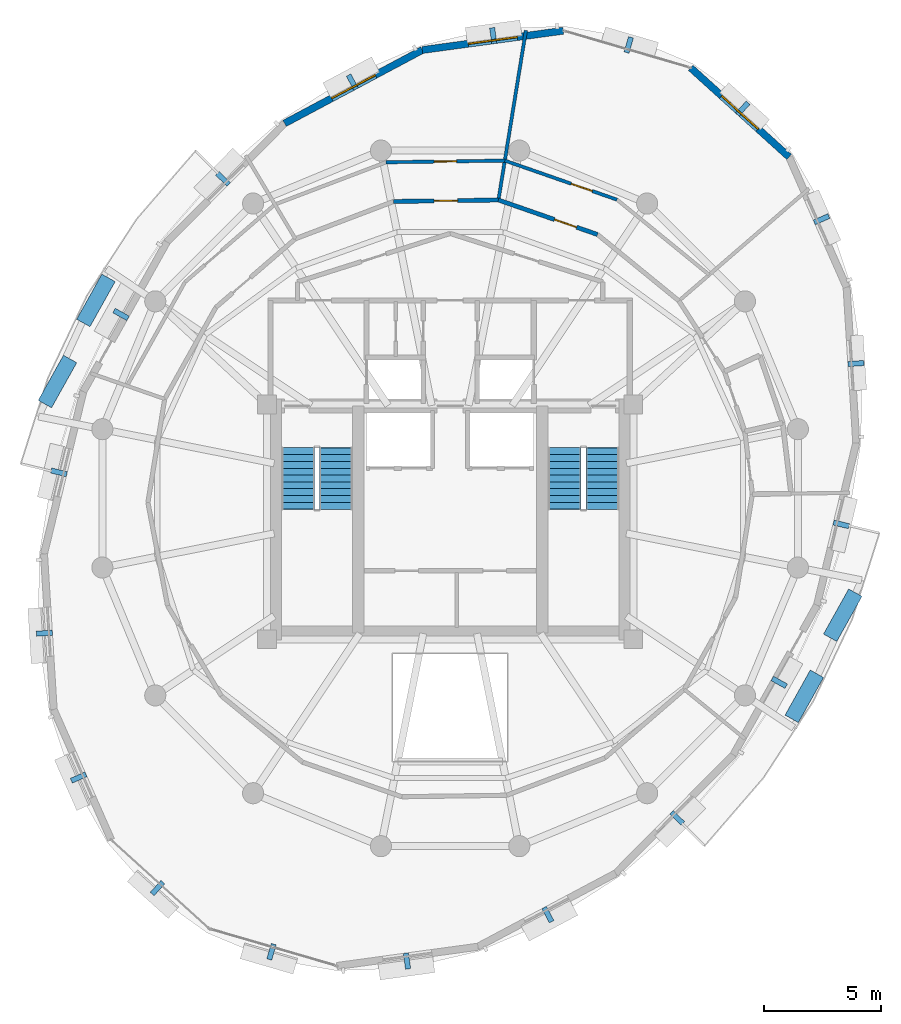
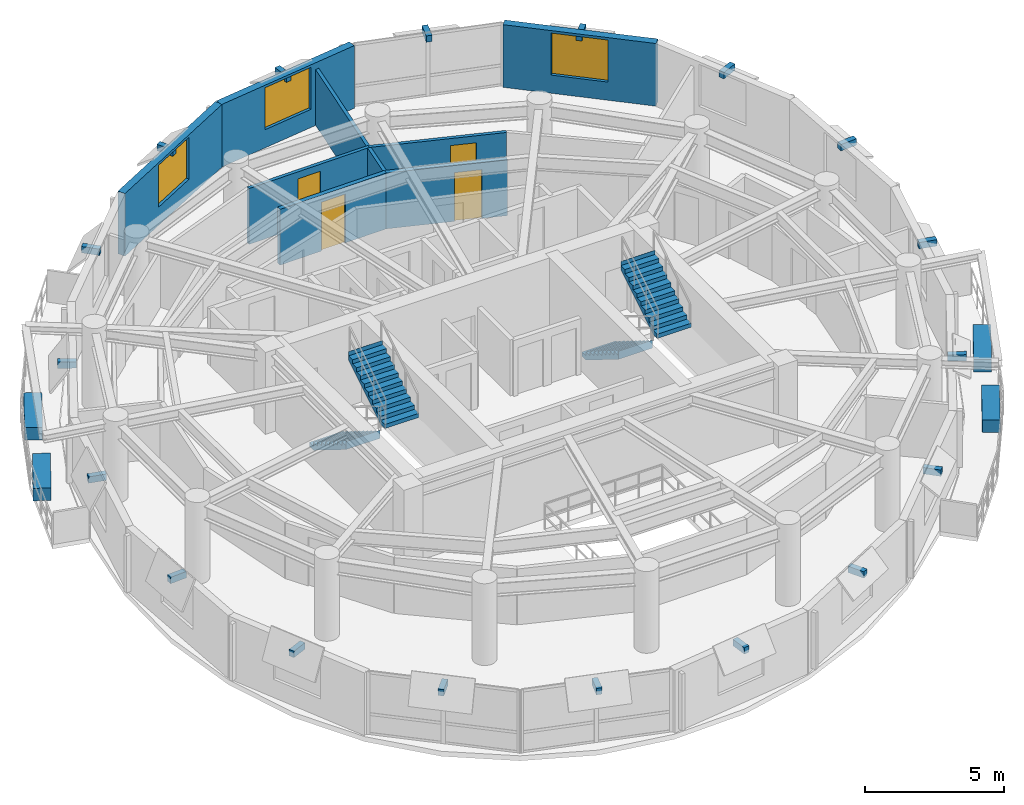
# One storey, part 9 of 11: 22 discrete accessories, 8 walls, 4 doors, 4 stair flights, 3 windows, 7 openings, 2 elements without a shape of their own.
"""IFC4 building model written with IfcOpenShell, lengths in metres."""

from ifc_helpers import new_model, si_unit, direction, frame, frame_2d, origin, origin_2d, place, context, subcontext, project, spatial, polyline, rectangle, outline, extrude, material, layer, layer_set, type_object, element, fill, aggregate, save


model = new_model("IFC4")

# Units and contexts
model_context = context("Model", 3, precision=1e-05, world=origin(), true_north=direction((0.0, 1.0)))
body_context = subcontext(model_context, "Body", "Model", "MODEL_VIEW")
ifc_project = project(units=[si_unit("LENGTHUNIT", "METRE"), si_unit("AREAUNIT", "SQUARE_METRE"), si_unit("VOLUMEUNIT", "CUBIC_METRE"), si_unit("PLANEANGLEUNIT", "RADIAN"), si_unit("MASSUNIT", "GRAM", prefix="KILO"), si_unit("THERMODYNAMICTEMPERATUREUNIT", "KELVIN"), si_unit("POWERUNIT", "WATT")], contexts=[model_context])

# Site, building, storey
site_placement = place(None, origin())
site = spatial("IfcSite", under=ifc_project, at=site_placement, CompositionType="ELEMENT")
building_placement = place(site_placement, origin())
building = spatial("IfcBuilding", under=site, at=building_placement, Name="Ocrelia Relay Tower", CompositionType="ELEMENT")
storey_placement = place(building_placement, frame((0.0, 0.0, 280.800048828125)))
storey = spatial("IfcBuildingStorey", under=building, at=storey_placement, Name="L70", CompositionType="ELEMENT", Elevation=280.800048828125)

# Wall, opening, door
ifc_material_1 = material(Name="Gypsum Fireboard Partition EI60", Category="gypsum")
ifc_layer_1 = layer(ifc_material_1, 0.179931640625, Name="Gypsum Fireboard Partition EI60")
ifc_layer_set_1 = layer_set([ifc_layer_1], Name="Gypsum Fireboard Partition EI60")
wall_type_1 = type_object("IfcWallType", Name="W-CORR-EI60-180", PredefinedType="PARTITIONING", material=ifc_layer_set_1)
wall_1_placement = place(storey_placement, frame((40.27880859375, 37.234619140625, 0.0), z_axis=(0.0, 0.0, 1.0), x_axis=(-0.944393587755, 0.328817200595, 0.0)))
wall_1 = element("IfcWall", 1, at=wall_1_placement, inside=storey, type_object=wall_type_1, Name="L70 Executive Dining Salon Corridor Partition 2", PredefinedType="PARTITIONING", context=body_context, shape_type="SweptSolid", body=[
    extrude(rectangle(XDim=4.4697265625, YDim=0.179931640625, at=frame_2d((2.23486328125, 0.0))), origin(), (0.0, 0.0, 1.0), 2.4599609375),
])
opening_1_placement = place(wall_1_placement, frame((0.9423828125, 0.0, 0.0)))
opening_1 = element("IfcOpeningElement", 2, at=opening_1_placement, cuts=wall_1, Name="Opening D-RM100", PredefinedType="OPENING", context=body_context, shape_type="SweptSolid", body=[
    extrude(rectangle(XDim=1.0, YDim=2.14990234375, at=frame_2d((0.5, 1.074951171875))), frame((0.0, 0.10009765625, 0.0), z_axis=(0.0, -1.0, 0.0), x_axis=(1.0, 0.0, 0.0)), (0.0, 0.0, 1.0), 0.199951171875),
])
ifc_material_2 = material(Name="Acoustic oak veneer fire door", Category="wood")
door_type_1 = type_object("IfcDoorType", Name="DR-ROOM-FD60-1000", OperationType="NOTDEFINED", PredefinedType="DOOR", material=ifc_material_2)
door_1_placement = place(opening_1_placement, origin())
door_1 = element("IfcDoor", 3, at=door_1_placement, inside=storey, type_object=door_type_1, Name="L70 Executive Dining Salon Entrance Door", OperationType="SINGLE_SWING_LEFT", OverallHeight=2.14990234375, OverallWidth=1.0, PredefinedType="DOOR", context=body_context, shape_type="SweptSolid", body=[
    extrude(rectangle(XDim=1.0, YDim=2.14990234375, at=frame_2d((0.5, 1.074951171875))), frame((0.0, 0.02490234375, 0.0), z_axis=(0.0, -1.0, 0.0), x_axis=(1.0, 0.0, 0.0)), (0.0, 0.0, 1.0), 0.050048828125),
])
fill(opening_1, door_1)

wall_2_placement = place(storey_placement, frame((36.0576171875, 38.704345703125, 0.0), z_axis=(0.0, 0.0, 1.0), x_axis=(-0.99990299363, -0.013928507778, 0.0)))
wall_2 = element("IfcWall", 4, at=wall_2_placement, inside=storey, type_object=wall_type_1, Name="L70 Hospitality Banquet Room Corridor Partition 1", PredefinedType="PARTITIONING", context=body_context, shape_type="SweptSolid", body=[
    extrude(rectangle(XDim=4.4697265625, YDim=0.179931640625, at=frame_2d((2.23486328125, 0.0))), origin(), (0.0, 0.0, 1.0), 2.4599609375),
])
opening_2_placement = place(wall_2_placement, frame((1.73486328125, 0.0, 0.0)))
opening_2 = element("IfcOpeningElement", 5, at=opening_2_placement, cuts=wall_2, Name="Opening D-RM100", PredefinedType="OPENING", context=body_context, shape_type="SweptSolid", body=[
    extrude(rectangle(XDim=1.0, YDim=2.14990234375, at=frame_2d((0.5, 1.074951171875))), frame((0.0, 0.10009765625, 0.0), z_axis=(0.0, -1.0, 0.0), x_axis=(1.0, 0.0, 0.0)), (0.0, 0.0, 1.0), 0.199951171875),
])
door_2_placement = place(opening_2_placement, origin())
door_2 = element("IfcDoor", 6, at=door_2_placement, inside=storey, type_object=door_type_1, Name="L70 Hospitality Banquet Room Entrance Door", OperationType="SINGLE_SWING_LEFT", OverallHeight=2.14990234375, OverallWidth=1.0, PredefinedType="DOOR", context=body_context, shape_type="SweptSolid", body=[
    extrude(rectangle(XDim=1.0, YDim=2.14990234375, at=frame_2d((0.5, 1.074951171875))), frame((0.0, 0.02490234375, 0.0), z_axis=(0.0, -1.0, 0.0), x_axis=(1.0, 0.0, 0.0)), (0.0, 0.0, 1.0), 0.050048828125),
])
fill(opening_2, door_2)

# Wall, opening, window
ifc_material_3 = material(Name="Precast concrete C40/50 with oxide terracotta", Category="masonry")
ifc_layer_2 = layer(ifc_material_3, 0.300048828125, Name="Precast concrete C40/50 with oxide terracotta")
ifc_layer_set_2 = layer_set([ifc_layer_2], Name="Precast concrete C40/50 with oxide terracotta")
wall_type_2 = type_object("IfcWallType", Name="W-EXT-TERR-300", PredefinedType="SOLIDWALL", material=ifc_layer_set_2)
wall_3_placement = place(storey_placement, frame((38.8203125, 45.912353515625, 0.0), z_axis=(0.0, 0.0, 1.0), x_axis=(-0.99078452566, -0.135447494301, 0.0)))
wall_3 = element("IfcWall", 7, at=wall_3_placement, inside=storey, type_object=wall_type_2, Name="L70 Oxide Terracotta Facade Wall 02", PredefinedType="SOLIDWALL", context=body_context, shape_type="SweptSolid", body=[
    extrude(rectangle(XDim=6.061767578125, YDim=0.300048828125, at=frame_2d((3.03076171875, 0.0))), origin(), (0.0, 0.0, 1.0), 2.760009765625),
])
opening_3_placement = place(wall_3_placement, frame((1.98095703125, 0.0, 0.800048828125)))
opening_3 = element("IfcOpeningElement", 8, at=opening_3_placement, cuts=wall_3, Name="Opening W-07", PredefinedType="OPENING", context=body_context, shape_type="SweptSolid", body=[
    extrude(rectangle(XDim=2.10009765625, YDim=1.85009765625, at=frame_2d((1.050048828125, 0.925048828125))), frame((0.0, 0.16015625, 0.0), z_axis=(0.0, -1.0, 0.0), x_axis=(1.0, 0.0, 0.0)), (0.0, 0.0, 1.0), 0.320068359375),
])
ifc_material_4 = material(Name="Clear double-glazed low-E glass", Category="glass")
window_type = type_object("IfcWindowType", Name="WIN-Z4-2100x2200", PartitioningType="DOUBLE_PANEL_VERTICAL", PredefinedType="WINDOW", material=ifc_material_4)
window_1_placement = place(opening_3_placement, origin())
window_1 = element("IfcWindow", 9, at=window_1_placement, inside=storey, type_object=window_type, Name="L70 Facade Module Window 02", OverallHeight=1.85009765625, OverallWidth=2.10009765625, PartitioningType="SINGLE_PANEL", PredefinedType="WINDOW", context=body_context, shape_type="SweptSolid", body=[
    extrude(rectangle(XDim=2.10009765625, YDim=1.85009765625, at=frame_2d((1.050048828125, 0.925048828125))), frame((0.0, 0.030029296875, 0.0), z_axis=(0.0, -1.0, 0.0), x_axis=(1.0, 0.0, 0.0)), (0.0, 0.0, 1.0), 0.06005859375),
])
fill(opening_3, window_1)

wall_4_placement = place(storey_placement, frame((32.814453125, 45.09130859375, 0.0), z_axis=(0.0, 0.0, 1.0), x_axis=(-0.882581737435, -0.470158990923, 0.0)))
wall_4 = element("IfcWall", 10, at=wall_4_placement, inside=storey, type_object=wall_type_2, Name="L70 Oxide Terracotta Facade Wall 03", PredefinedType="SOLIDWALL", context=body_context, shape_type="SweptSolid", body=[
    extrude(rectangle(XDim=6.64306640625, YDim=0.300048828125, at=frame_2d((3.321533203125, 0.0))), origin(), (0.0, 0.0, 1.0), 2.760009765625),
])
opening_4_placement = place(wall_4_placement, frame((2.27197265625, 0.0, 0.800048828125)))
opening_4 = element("IfcOpeningElement", 11, at=opening_4_placement, cuts=wall_4, Name="Opening W-07", PredefinedType="OPENING", context=body_context, shape_type="SweptSolid", body=[
    extrude(rectangle(XDim=2.10009765625, YDim=1.85009765625, at=frame_2d((1.050048828125, 0.925048828125))), frame((0.0, 0.16015625, 0.0), z_axis=(0.0, -1.0, 0.0), x_axis=(1.0, 0.0, 0.0)), (0.0, 0.0, 1.0), 0.320068359375),
])
window_2_placement = place(opening_4_placement, origin())
window_2 = element("IfcWindow", 12, at=window_2_placement, inside=storey, type_object=window_type, Name="L70 Facade Module Window 03", OverallHeight=1.85009765625, OverallWidth=2.10009765625, PartitioningType="SINGLE_PANEL", PredefinedType="WINDOW", context=body_context, shape_type="SweptSolid", body=[
    extrude(rectangle(XDim=2.10009765625, YDim=1.85009765625, at=frame_2d((1.050048828125, 0.925048828125))), frame((0.0, 0.030029296875, 0.0), z_axis=(0.0, -1.0, 0.0), x_axis=(1.0, 0.0, 0.0)), (0.0, 0.0, 1.0), 0.06005859375),
])
fill(opening_4, window_2)

wall_5_placement = place(storey_placement, frame((48.43408203125, 40.539306640625, 0.0), z_axis=(0.0, 0.0, 1.0), x_axis=(-0.741361737188, 0.671105635972, 0.0)))
wall_5 = element("IfcWall", 13, at=wall_5_placement, inside=storey, type_object=wall_type_2, Name="L70 Oxide Terracotta Facade Wall 18", PredefinedType="SOLIDWALL", context=body_context, shape_type="SweptSolid", body=[
    extrude(rectangle(XDim=5.650390625, YDim=0.300048828125, at=frame_2d((2.8251953125, 0.0))), origin(), (0.0, 0.0, 1.0), 2.760009765625),
])
opening_5_placement = place(wall_5_placement, frame((1.77490234375, 0.0, 0.800048828125)))
opening_5 = element("IfcOpeningElement", 14, at=opening_5_placement, cuts=wall_5, Name="Opening W-07", PredefinedType="OPENING", context=body_context, shape_type="SweptSolid", body=[
    extrude(rectangle(XDim=2.10009765625, YDim=1.85009765625, at=frame_2d((1.050048828125, 0.925048828125))), frame((0.0, 0.16015625, 0.0), z_axis=(0.0, -1.0, 0.0), x_axis=(1.0, 0.0, 0.0)), (0.0, 0.0, 1.0), 0.320068359375),
])
window_3_placement = place(opening_5_placement, origin())
window_3 = element("IfcWindow", 15, at=window_3_placement, inside=storey, type_object=window_type, Name="L70 Facade Module Window 18", OverallHeight=1.85009765625, OverallWidth=2.10009765625, PartitioningType="SINGLE_PANEL", PredefinedType="WINDOW", context=body_context, shape_type="SweptSolid", body=[
    extrude(rectangle(XDim=2.10009765625, YDim=1.85009765625, at=frame_2d((1.050048828125, 0.925048828125))), frame((0.0, 0.030029296875, 0.0), z_axis=(0.0, -1.0, 0.0), x_axis=(1.0, 0.0, 0.0)), (0.0, 0.0, 1.0), 0.06005859375),
])
fill(opening_5, window_3)

# Wall
ifc_material_5 = material(Name="Acoustic Fireboard Partition EI60", Category="gypsum")
ifc_layer_3 = layer(ifc_material_5, 0.139892578125, Name="Acoustic Fireboard Partition EI60")
ifc_layer_set_3 = layer_set([ifc_layer_3], Name="Acoustic Fireboard Partition EI60")
wall_type_3 = type_object("IfcWallType", Name="W-PART-140", PredefinedType="PARTITIONING", material=ifc_layer_set_3)
wall_6_placement = place(storey_placement, frame((36.0576171875, 38.704345703125, 0.0), z_axis=(0.0, 0.0, 1.0), x_axis=(0.159896328627, 0.987133812657, 0.0)))
element("IfcWall", 16, at=wall_6_placement, inside=storey, type_object=wall_type_3, Name="L70 Executive Dining Salon Radial Partition", PredefinedType="PARTITIONING", context=body_context, shape_type="SweptSolid", body=[
    extrude(rectangle(XDim=7.318359375, YDim=0.139892578125, at=frame_2d((3.6591796875, 0.0))), origin(), (0.0, 0.0, 1.0), 2.4599609375),
])

# Wall, opening, door
wall_7_placement = place(storey_placement, frame((41.108154296875, 38.718505859375, 0.0), z_axis=(0.0, 0.0, 1.0), x_axis=(-0.944376965855, 0.328864936354, 0.0)))
wall_7 = element("IfcWall", 17, at=wall_7_placement, inside=storey, type_object=wall_type_3, Name="L70 Perimeter Executive Dining Salon Mid-Ring Partition 2", PredefinedType="PARTITIONING", context=body_context, shape_type="SweptSolid", body=[
    extrude(rectangle(XDim=5.06005859375, YDim=0.139892578125, at=frame_2d((2.530029296875, 0.0))), origin(), (0.0, 0.0, 1.0), 2.4599609375),
])
opening_6_placement = place(wall_7_placement, frame((1.117431640625, 0.0, 0.0)))
opening_6 = element("IfcOpeningElement", 18, at=opening_6_placement, cuts=wall_7, Name="Opening D-RM95", PredefinedType="OPENING", context=body_context, shape_type="SweptSolid", body=[
    extrude(rectangle(XDim=0.949951171875, YDim=2.14990234375, at=frame_2d((0.47509765625, 1.074951171875))), frame((0.0, 0.080078125, 0.0), z_axis=(0.0, -1.0, 0.0), x_axis=(1.0, 0.0, 0.0)), (0.0, 0.0, 1.0), 0.159912109375),
])
door_type_2 = type_object("IfcDoorType", Name="DR-ROOM-950", OperationType="NOTDEFINED", PredefinedType="DOOR", material=ifc_material_2)
door_3_placement = place(opening_6_placement, origin())
door_3 = element("IfcDoor", 19, at=door_3_placement, inside=storey, type_object=door_type_2, Name="L70 Perimeter Executive Dining Salon Connecting Door", OperationType="SINGLE_SWING_RIGHT", OverallHeight=2.14990234375, OverallWidth=0.949951171875, PredefinedType="DOOR", context=body_context, shape_type="SweptSolid", body=[
    extrude(rectangle(XDim=0.949951171875, YDim=2.14990234375, at=frame_2d((0.47509765625, 1.074951171875))), frame((0.0, 0.02490234375, 0.0), z_axis=(0.0, -1.0, 0.0), x_axis=(1.0, 0.0, 0.0)), (0.0, 0.0, 1.0), 0.050048828125),
])
fill(opening_6, door_3)

wall_8_placement = place(storey_placement, frame((36.32958984375, 40.382568359375, 0.0), z_axis=(0.0, 0.0, 1.0), x_axis=(-0.999902780096, -0.013943828578, 0.0)))
wall_8 = element("IfcWall", 20, at=wall_8_placement, inside=storey, type_object=wall_type_3, Name="L70 Perimeter Hospitality Banquet Room Mid-Ring Partition 1", PredefinedType="PARTITIONING", context=body_context, shape_type="SweptSolid", body=[
    extrude(rectangle(XDim=5.06005859375, YDim=0.139892578125, at=frame_2d((2.530029296875, 0.0))), origin(), (0.0, 0.0, 1.0), 2.4599609375),
])
opening_7_placement = place(wall_8_placement, frame((2.054931640625, 0.0, 0.0)))
opening_7 = element("IfcOpeningElement", 21, at=opening_7_placement, cuts=wall_8, Name="Opening D-RM95", PredefinedType="OPENING", context=body_context, shape_type="SweptSolid", body=[
    extrude(rectangle(XDim=0.949951171875, YDim=2.14990234375, at=frame_2d((0.47509765625, 1.074951171875))), frame((0.0, 0.080078125, 0.0), z_axis=(0.0, -1.0, 0.0), x_axis=(1.0, 0.0, 0.0)), (0.0, 0.0, 1.0), 0.159912109375),
])
door_4_placement = place(opening_7_placement, origin())
door_4 = element("IfcDoor", 22, at=door_4_placement, inside=storey, type_object=door_type_2, Name="L70 Perimeter Hospitality Banquet Room Connecting Door", OperationType="SINGLE_SWING_RIGHT", OverallHeight=2.14990234375, OverallWidth=0.949951171875, PredefinedType="DOOR", context=body_context, shape_type="SweptSolid", body=[
    extrude(rectangle(XDim=0.949951171875, YDim=2.14990234375, at=frame_2d((0.47509765625, 1.074951171875))), frame((0.0, 0.02490234375, 0.0), z_axis=(0.0, -1.0, 0.0), x_axis=(1.0, 0.0, 0.0)), (0.0, 0.0, 1.0), 0.050048828125),
])
fill(opening_7, door_4)

# Stair, stair flights
ifc_material_6 = material(Name="Concrete C50/60", Category="concrete")
stair_type = type_object("IfcStairType", Name="ST-DL-1420-R180", PredefinedType="HALF_TURN_STAIR", material=ifc_material_6)
stair_1_placement = place(storey_placement, origin())
stair_1 = element("IfcStair", 23, at=stair_1_placement, inside=storey, type_object=stair_type, Name="L70 West Core Exit Stair ST1", PredefinedType="HALF_TURN_STAIR")
stair_flight_type = type_object("IfcStairFlightType", Name="STF-DL-1420-R180", PredefinedType="STRAIGHT", material=ifc_material_6)
stair_flight_1_placement = place(storey_placement, frame((27.52001953125, 28.14990234375, 0.0), z_axis=(0.0, 0.0, 1.0), x_axis=(0.0, -1.0, 0.0)))
stair_flight_1 = element("IfcStairFlight", 24, at=stair_flight_1_placement, type_object=stair_flight_type, Name="ST1 flight 1", NumberOfRisers=10, NumberOfTreads=9, PredefinedType="STRAIGHT", RiserHeight=0.18, TreadLength=0.29, context=body_context, shape_type="SweptSolid", body=[
    extrude(outline(polyline([(-0.008056640625, 0.0), (-0.008056640625, 0.179931640625), (0.0, 0.179931640625), (0.2900390625, 0.179931640625), (0.2900390625, 0.360107421875), (0.580078125, 0.360107421875), (0.580078125, 0.5400390625), (0.8701171875, 0.5400390625), (0.8701171875, 0.719970703125), (1.159912109375, 0.719970703125), (1.159912109375, 0.89990234375), (1.449951171875, 0.89990234375), (1.449951171875, 1.080078125), (1.739990234375, 1.080078125), (1.739990234375, 1.260009765625), (2.030029296875, 1.260009765625), (2.030029296875, 1.43994140625), (2.320068359375, 1.43994140625), (2.320068359375, 1.6201171875), (2.610107421875, 1.6201171875), (2.610107421875, 1.800048828125), (2.617919921875, 1.800048828125), (2.617919921875, 1.443603515625), (0.2841796875, 0.0), (-0.008056640625, 0.0)])), frame((0.0, 0.7099609375, 0.0), z_axis=(0.0, -1.0, 0.0), x_axis=(1.0, 0.0, 0.0)), (0.0, 0.0, 1.0), 1.419921875),
])
stair_flight_2_placement = place(storey_placement, frame((29.139892578125, 25.5400390625, 1.800048828125), z_axis=(0.0, 0.0, 1.0), x_axis=(0.0, 1.0, 0.0)))
stair_flight_2 = element("IfcStairFlight", 25, at=stair_flight_2_placement, type_object=stair_flight_type, Name="ST1 flight 2", NumberOfRisers=10, NumberOfTreads=9, PredefinedType="STRAIGHT", RiserHeight=0.18, TreadLength=0.29, context=body_context, shape_type="SweptSolid", body=[
    extrude(outline(polyline([(-0.008056640625, 0.0), (-0.008056640625, 0.179931640625), (0.0, 0.179931640625), (0.2900390625, 0.179931640625), (0.2900390625, 0.360107421875), (0.580078125, 0.360107421875), (0.580078125, 0.5400390625), (0.8701171875, 0.5400390625), (0.8701171875, 0.719970703125), (1.159912109375, 0.719970703125), (1.159912109375, 0.89990234375), (1.449951171875, 0.89990234375), (1.449951171875, 1.080078125), (1.739990234375, 1.080078125), (1.739990234375, 1.260009765625), (2.030029296875, 1.260009765625), (2.030029296875, 1.43994140625), (2.320068359375, 1.43994140625), (2.320068359375, 1.6201171875), (2.610107421875, 1.6201171875), (2.610107421875, 1.800048828125), (2.617919921875, 1.800048828125), (2.617919921875, 1.443603515625), (0.2841796875, 0.0), (-0.008056640625, 0.0)])), frame((0.0, 0.7099609375, 0.0), z_axis=(0.0, -1.0, 0.0), x_axis=(1.0, 0.0, 0.0)), (0.0, 0.0, 1.0), 1.419921875),
])
aggregate(stair_1, [stair_flight_1, stair_flight_2])

stair_2_placement = place(storey_placement, origin())
stair_2 = element("IfcStair", 26, at=stair_2_placement, inside=storey, type_object=stair_type, Name="L70 East Core Exit Stair ST2", PredefinedType="HALF_TURN_STAIR")
stair_flight_3_placement = place(storey_placement, frame((38.8701171875, 28.14990234375, 0.0), z_axis=(0.0, 0.0, 1.0), x_axis=(0.0, -1.0, 0.0)))
stair_flight_3 = element("IfcStairFlight", 27, at=stair_flight_3_placement, type_object=stair_flight_type, Name="ST2 flight 1", NumberOfRisers=10, NumberOfTreads=9, PredefinedType="STRAIGHT", RiserHeight=0.18, TreadLength=0.29, context=body_context, shape_type="SweptSolid", body=[
    extrude(outline(polyline([(-0.008056640625, 0.0), (-0.008056640625, 0.179931640625), (0.0, 0.179931640625), (0.2900390625, 0.179931640625), (0.2900390625, 0.360107421875), (0.580078125, 0.360107421875), (0.580078125, 0.5400390625), (0.8701171875, 0.5400390625), (0.8701171875, 0.719970703125), (1.159912109375, 0.719970703125), (1.159912109375, 0.89990234375), (1.449951171875, 0.89990234375), (1.449951171875, 1.080078125), (1.739990234375, 1.080078125), (1.739990234375, 1.260009765625), (2.030029296875, 1.260009765625), (2.030029296875, 1.43994140625), (2.320068359375, 1.43994140625), (2.320068359375, 1.6201171875), (2.610107421875, 1.6201171875), (2.610107421875, 1.800048828125), (2.617919921875, 1.800048828125), (2.617919921875, 1.443603515625), (0.2841796875, 0.0), (-0.008056640625, 0.0)])), frame((0.0, 0.7099609375, 0.0), z_axis=(0.0, -1.0, 0.0), x_axis=(1.0, 0.0, 0.0)), (0.0, 0.0, 1.0), 1.419921875),
])
stair_flight_4_placement = place(storey_placement, frame((40.489990234375, 25.5400390625, 1.800048828125), z_axis=(0.0, 0.0, 1.0), x_axis=(0.0, 1.0, 0.0)))
stair_flight_4 = element("IfcStairFlight", 28, at=stair_flight_4_placement, type_object=stair_flight_type, Name="ST2 flight 2", NumberOfRisers=10, NumberOfTreads=9, PredefinedType="STRAIGHT", RiserHeight=0.18, TreadLength=0.29, context=body_context, shape_type="SweptSolid", body=[
    extrude(outline(polyline([(-0.008056640625, 0.0), (-0.008056640625, 0.179931640625), (0.0, 0.179931640625), (0.2900390625, 0.179931640625), (0.2900390625, 0.360107421875), (0.580078125, 0.360107421875), (0.580078125, 0.5400390625), (0.8701171875, 0.5400390625), (0.8701171875, 0.719970703125), (1.159912109375, 0.719970703125), (1.159912109375, 0.89990234375), (1.449951171875, 0.89990234375), (1.449951171875, 1.080078125), (1.739990234375, 1.080078125), (1.739990234375, 1.260009765625), (2.030029296875, 1.260009765625), (2.030029296875, 1.43994140625), (2.320068359375, 1.43994140625), (2.320068359375, 1.6201171875), (2.610107421875, 1.6201171875), (2.610107421875, 1.800048828125), (2.617919921875, 1.800048828125), (2.617919921875, 1.443603515625), (0.2841796875, 0.0), (-0.008056640625, 0.0)])), frame((0.0, 0.7099609375, 0.0), z_axis=(0.0, -1.0, 0.0), x_axis=(1.0, 0.0, 0.0)), (0.0, 0.0, 1.0), 1.419921875),
])
aggregate(stair_2, [stair_flight_3, stair_flight_4])

# Discrete accessories
ifc_material_7 = material(Name="Precast concrete C40/50 planter with highland greenery", Category="concrete")
discrete_accessory_type_1 = type_object("IfcDiscreteAccessoryType", Name="ACC-BALC-PLANTER", PredefinedType="USERDEFINED", material=ifc_material_7)
for number, where, z_axis, x_axis, name in (
    (29, (18.918212890625, 34.428955078125, 0.0), (0.0, 0.0, 1.0), (0.487859838657, 0.87292197694, 0.0), "L70 Balcony Terracotta Planter with Greenery B1"),
    (30, (17.28173828125, 30.975341796875, 0.0), (0.0, 0.0, 1.0), (0.487859838657, 0.87292197694, 0.0), "L70 Balcony Terracotta Planter B1-2"),
    (31, (49.081787109375, 17.571044921875, 0.0), (0.0, 0.0, 1.0), (-0.487859838657, -0.87292197694, 0.0), "L70 Balcony Terracotta Planter with Greenery B2"),
    (32, (50.71826171875, 21.024658203125, 0.0), (0.0, 0.0, 1.0), (-0.487859838657, -0.87292197694, 0.0), "L70 Balcony Terracotta Planter B2-2"),
):
    element("IfcDiscreteAccessory", number, at=place(storey_placement, frame(where, z_axis=z_axis, x_axis=x_axis)), inside=storey, type_object=discrete_accessory_type_1, Name=name, ObjectType="PLANTER", PredefinedType="USERDEFINED", context=body_context, shape_type="SweptSolid", body=[
        extrude(rectangle(XDim=2.199951171875, YDim=0.64990234375, at=origin_2d()), origin(), (0.0, 0.0, 1.0), 0.550048828125),
    ])
ifc_material_8 = material(Name="Steel S355", Category="steel")
discrete_accessory_type_2 = type_object("IfcDiscreteAccessoryType", Name="ACC-VISOR-BRACKET", PredefinedType="BRACKET", material=ifc_material_8)
for number, where, z_axis, x_axis, name in (
    (33, (41.606201171875, 45.307861328125, 2.4599609375), (0.0, 0.0, 1.0), (-0.960062018454, 0.279787277627, 0.0), "L70 Visor Mounting Bracket 01"),
    (34, (35.8359375, 45.700927734375, 2.4599609375), (0.0, 0.0, 1.0), (-0.990788159236, -0.135420912406, 0.0), "L70 Visor Mounting Bracket 02"),
    (35, (29.837158203125, 43.724365234375, 2.4599609375), (0.0, 0.0, 1.0), (-0.882567448282, -0.470185813518, 0.0), "L70 Visor Mounting Bracket 03"),
    (36, (24.3291015625, 39.606201171875, 2.4599609375), (0.0, 0.0, 1.0), (-0.704530158963, -0.709674048498, 0.0), "L70 Visor Mounting Bracket 04"),
    (37, (19.98486328125, 33.832763671875, 2.4599609375), (0.0, 0.0, 1.0), (-0.487863765582, -0.872919782244, 0.0), "L70 Visor Mounting Bracket 05"),
    (38, (17.34375, 27.107421875, 2.4599609375), (0.0, 0.0, 1.0), (-0.235283443426, -0.971926798298, 0.0), "L70 Visor Mounting Bracket 06"),
    (39, (16.722412109375, 20.25830078125, 2.4599609375), (0.0, 0.0, 1.0), (0.061989356526, -0.99807681051, 0.0), "L70 Visor Mounting Bracket 07"),
    (40, (18.18212890625, 14.11328125, 2.4599609375), (0.0, 0.0, 1.0), (0.403821339218, -0.914837868692, 0.0), "L70 Visor Mounting Bracket 08"),
    (41, (21.540283203125, 9.40478515625, 2.4599609375), (0.0, 0.0, 1.0), (0.741355880595, -0.671112105618, 0.0), "L70 Visor Mounting Bracket 09"),
    (42, (26.393798828125, 6.692138671875, 2.4599609375), (0.0, 0.0, 1.0), (0.960062018454, -0.279787277627, 0.0), "L70 Visor Mounting Bracket 10"),
    (43, (32.1640625, 6.299072265625, 2.4599609375), (0.0, 0.0, 1.0), (0.990788159236, 0.135420912406, 0.0), "L70 Visor Mounting Bracket 11"),
    (44, (38.162841796875, 8.275634765625, 2.4599609375), (0.0, 0.0, 1.0), (0.882567448282, 0.470185813518, 0.0), "L70 Visor Mounting Bracket 12"),
    (45, (43.6708984375, 12.393798828125, 2.4599609375), (0.0, 0.0, 1.0), (0.704530158963, 0.709674048498, 0.0), "L70 Visor Mounting Bracket 13"),
    (46, (48.01513671875, 18.167236328125, 2.4599609375), (0.0, 0.0, 1.0), (0.487863765582, 0.872919782244, 0.0), "L70 Visor Mounting Bracket 14"),
    (47, (50.65625, 24.892578125, 2.4599609375), (0.0, 0.0, 1.0), (0.235283443426, 0.971926798298, 0.0), "L70 Visor Mounting Bracket 15"),
    (48, (51.277587890625, 31.74169921875, 2.4599609375), (0.0, 0.0, 1.0), (-0.061989356526, 0.99807681051, 0.0), "L70 Visor Mounting Bracket 16"),
    (49, (49.81787109375, 37.88671875, 2.4599609375), (0.0, 0.0, 1.0), (-0.403821339218, 0.914837868692, 0.0), "L70 Visor Mounting Bracket 17"),
    (50, (46.459716796875, 42.59521484375, 2.4599609375), (0.0, 0.0, 1.0), (-0.741355880595, 0.671112105618, 0.0), "L70 Visor Mounting Bracket 18"),
):
    element("IfcDiscreteAccessory", number, at=place(storey_placement, frame(where, z_axis=z_axis, x_axis=x_axis)), inside=storey, type_object=discrete_accessory_type_2, Name=name, PredefinedType="BRACKET", context=body_context, shape_type="SweptSolid", body=[
        extrude(rectangle(XDim=0.219970703125, YDim=0.679931640625, at=origin_2d()), origin(), (0.0, 0.0, 1.0), 0.280029296875),
    ])

save(model, "model.ifc")
